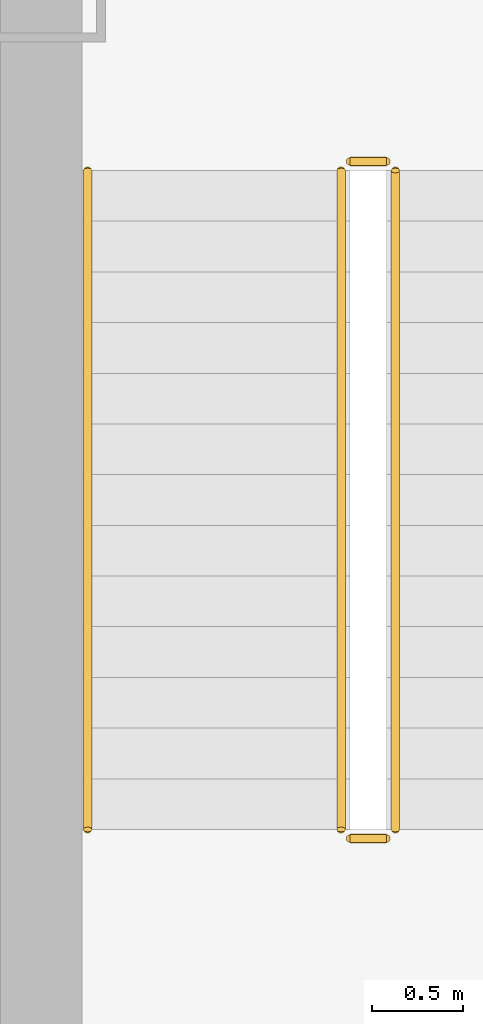
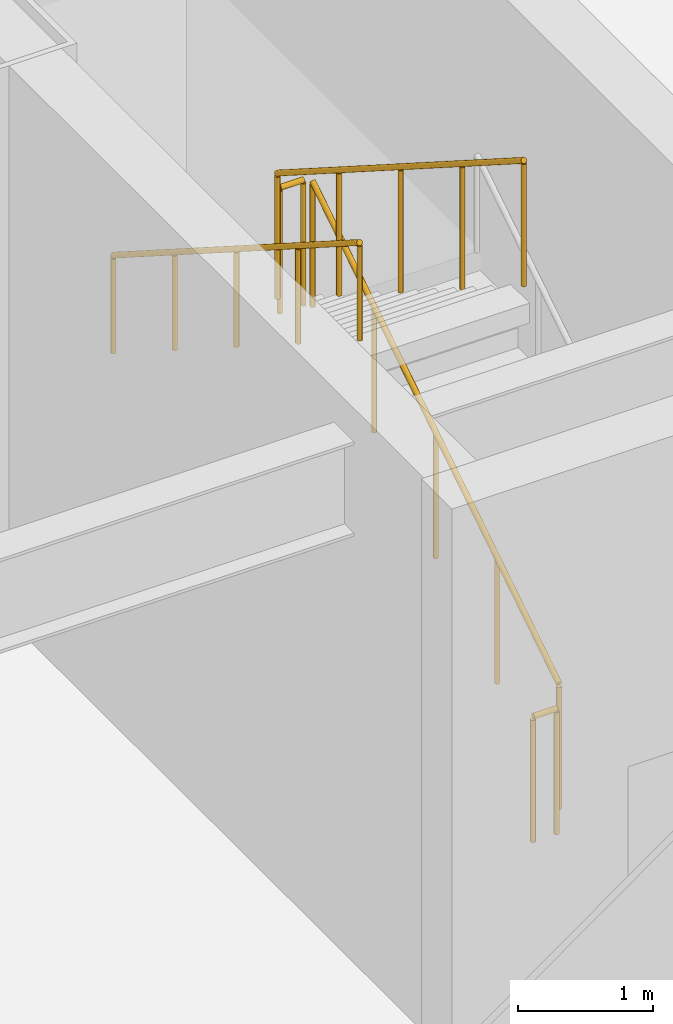
# One storey, part 34 of 40: 5 railings.
"""IFC4 building model written with IfcOpenShell, lengths in metres."""

import ifcopenshell
import ifcopenshell.guid

model = None  # the IFC model being written
_history = None  # IfcOwnerHistory: only IFC2X3 demands one
_inside = {}  # id of a spatial element -> (the spatial element, [elements in it])
_under = {}  # id of a project, library or spatial element -> (it, [spatial elements below it])
_declared = {}  # id of a project -> (the project, [libraries it declares])
_typed = {}  # id of a type object -> (the type object, [elements of that type])
_made_of = {}  # id of a material, layer set ... -> (it, [elements and type objects made of it])


def new_model(schema):
    """Start an empty IFC model of exactly this schema.

    Asked for "IFC4X3", IfcOpenShell would pick the latest addendum, in which some entities
    have other attributes; the version numbers below select the first issue.
    IFC2X3 requires an IfcOwnerHistory on every rooted entity: one is made here for all.
    """
    global model, _history
    if schema == "IFC4X3":
        model = ifcopenshell.file(schema_version=(4, 3, 0, 0))
    else:
        model = ifcopenshell.file(schema=schema)
    _inside.clear()
    _under.clear()
    _declared.clear()
    _typed.clear()
    _made_of.clear()
    _history = None
    if model.schema == "IFC2X3":
        org = make("IfcOrganization", Name="unknown")
        user = make(
            "IfcPersonAndOrganization",
            ThePerson=make("IfcPerson", FamilyName="unknown"),
            TheOrganization=org,
        )
        app = make(
            "IfcApplication",
            ApplicationDeveloper=org,
            Version="unknown",
            ApplicationFullName="unknown",
            ApplicationIdentifier="unknown",
        )
        _history = make(
            "IfcOwnerHistory",
            OwningUser=user,
            OwningApplication=app,
            ChangeAction="ADDED",
            CreationDate=0,
        )
    return model


def make(cls, **values):
    """One entity of the class cls with the attributes given. An attribute that is None is left unset."""
    return model.create_entity(
        cls, **{name: value for name, value in values.items() if value is not None}
    )


def rooted(cls, **values):
    """An entity with a GlobalId (a new one), such as an element, a storey or a relation."""
    return make(cls, GlobalId=ifcopenshell.guid.new(), OwnerHistory=_history, **values)


def si_unit(unit_type, name, prefix=None):
    """IfcSIUnit, for example si_unit("LENGTHUNIT", "METRE", prefix="MILLI")."""
    return make("IfcSIUnit", UnitType=unit_type, Prefix=prefix, Name=name)


def derived_unit(unit_type, elements):
    """IfcDerivedUnit: a product of units, each with its exponent."""
    return make(
        "IfcDerivedUnit",
        Elements=[
            make("IfcDerivedUnitElement", Unit=unit, Exponent=power)
            for unit, power in elements
        ],
        UnitType=unit_type,
    )


def assignment(units):
    """IfcUnitAssignment: the units of a project."""
    return None if units is None else make("IfcUnitAssignment", Units=units)


def point(xyz):
    """IfcCartesianPoint."""
    return None if xyz is None else make("IfcCartesianPoint", Coordinates=xyz)


def direction(xyz):
    """IfcDirection."""
    return None if xyz is None else make("IfcDirection", DirectionRatios=xyz)


def frame(location, z_axis=None, x_axis=None):
    """IfcAxis2Placement3D, a coordinate frame: its origin and axes. An axis left out is left unset."""
    return make(
        "IfcAxis2Placement3D",
        Location=point(location),
        Axis=direction(z_axis),
        RefDirection=direction(x_axis),
    )


def frame_2d(location, x_axis=None):
    """IfcAxis2Placement2D, a coordinate frame in the plane: its origin and x axis."""
    return make(
        "IfcAxis2Placement2D", Location=point(location), RefDirection=direction(x_axis)
    )


def origin():
    """The frame at (0, 0, 0) with its axes left unset."""
    return frame((0.0, 0.0, 0.0))


def origin_2d():
    """The frame at (0, 0) in the plane with its x axis left unset."""
    return frame_2d((0.0, 0.0))


def place(relative_to, where):
    """IfcLocalPlacement: puts the frame where relative to a parent placement (None: the world)."""
    return make(
        "IfcLocalPlacement", PlacementRelTo=relative_to, RelativePlacement=where
    )


def context(
    kind, dimensions, precision=None, world=None, true_north=None, identifier=None
):
    """IfcGeometricRepresentationContext, for example the 3D "Model" context."""
    return make(
        "IfcGeometricRepresentationContext",
        ContextIdentifier=identifier,
        ContextType=kind,
        CoordinateSpaceDimension=dimensions,
        Precision=precision,
        WorldCoordinateSystem=world,
        TrueNorth=true_north,
    )


def subcontext(parent, identifier, kind, view, scale=None):
    """IfcGeometricRepresentationSubContext, for example "Body" below "Model"."""
    return make(
        "IfcGeometricRepresentationSubContext",
        ContextIdentifier=identifier,
        ContextType=kind,
        ParentContext=parent,
        TargetScale=scale,
        TargetView=view,
    )


def project(units=None, contexts=None):
    """IfcProject with its units and contexts."""
    return rooted(
        "IfcProject",
        Name="project",
        RepresentationContexts=contexts,
        UnitsInContext=assignment(units),
    )


def spatial(cls, under=None, at=None, **own):
    """A site, building, storey or space (cls), placed at a placement, below another one or the project."""
    s = rooted(cls, ObjectPlacement=at, **own)
    if under is not None:
        _under.setdefault(under.id(), (under, []))[1].append(s)
    return s


def profile(cls, at=None, kind="AREA", **sizes):
    """A parametric profile (cls). Its sizes go by their IFC names, for example OverallWidth=200.0."""
    return make(cls, ProfileType=kind, Position=at, **sizes)


def circle(**sizes):
    """IfcCircleProfileDef."""
    return profile("IfcCircleProfileDef", **sizes)


def extrude(swept, where, along, depth):
    """IfcExtrudedAreaSolid: the profile swept, set in the frame where, extruded along a direction by depth."""
    return make(
        "IfcExtrudedAreaSolid",
        SweptArea=swept,
        Position=where,
        ExtrudedDirection=direction(along),
        Depth=depth,
    )


def shape(context_of_items, identifier, shape_type, items):
    """IfcShapeRepresentation: the items that make up one representation, for example the "Body"."""
    return make(
        "IfcShapeRepresentation",
        ContextOfItems=context_of_items,
        RepresentationIdentifier=identifier,
        RepresentationType=shape_type,
        Items=items,
    )


def material(Name=None, Category=None):
    """IfcMaterial."""
    return make("IfcMaterial", Name=Name, Category=Category)


def made_of(thing, what):
    """Note that an element or type object is made of a material, layer set ...; save() writes the relation."""
    if what is not None:
        _made_of.setdefault(what.id(), (what, []))[1].append(thing)
    return thing


def type_object(cls, material=None, **own):
    """A type object (cls), such as IfcWallType, which elements share."""
    return made_of(rooted(cls, **own), material)


def element(
    cls,
    number,
    at=None,
    inside=None,
    cuts=None,
    type_object=None,
    material=None,
    context=None,
    identifier="Body",
    shape_type=None,
    held_by="IfcProductDefinitionShape",
    body=None,
    shapes=None,
    **own,
):
    """One element of the class cls, such as IfcWall. Its Tag is "e" and its number.

    at: its placement. inside: the storey or other place that contains it. cuts: it is an
    opening in that element (IfcRelVoidsElement). A single representation is given by context,
    identifier, shape_type and body (its items); several are given by shapes. held_by: the class
    of the entity that holds the representations. save() writes the other relations.
    """
    e = rooted(cls, Tag="e%d" % number, ObjectPlacement=at, **own)
    if body is not None:
        shapes = [shape(context, identifier, shape_type, body)]
    if shapes is not None:
        e.Representation = make(held_by, Representations=shapes)
    if inside is not None:
        _inside.setdefault(inside.id(), (inside, []))[1].append(e)
    if cuts is not None:
        rooted(
            "IfcRelVoidsElement", RelatingBuildingElement=cuts, RelatedOpeningElement=e
        )
    if type_object is not None:
        _typed.setdefault(type_object.id(), (type_object, []))[1].append(e)
    return made_of(e, material)


def aggregate(whole, parts):
    """IfcRelAggregates: a whole, such as a stair, and the parts it consists of."""
    return rooted("IfcRelAggregates", RelatingObject=whole, RelatedObjects=parts)


def save(model, path):
    """Write the relations noted so far, then the file.

    IfcRelAggregates (storeys below a building ...), IfcRelContainedInSpatialStructure (elements
    in a storey), IfcRelDefinesByType, IfcRelAssociatesMaterial and IfcRelDeclares: one each for
    every whole, place, type object, material and project.
    """
    for whole, parts in _under.values():
        aggregate(whole, parts)
    for where, things in _inside.values():
        rooted(
            "IfcRelContainedInSpatialStructure",
            RelatedElements=things,
            RelatingStructure=where,
        )
    for kind, things in _typed.values():
        rooted("IfcRelDefinesByType", RelatedObjects=things, RelatingType=kind)
    for what, things in _made_of.values():
        rooted("IfcRelAssociatesMaterial", RelatedObjects=things, RelatingMaterial=what)
    for by, libraries in _declared.values():
        rooted("IfcRelDeclares", RelatingContext=by, RelatedDefinitions=libraries)
    model.write(path)


model = new_model("IFC4")

# Units and contexts
model_context = context("Model", 3, precision=1e-05, world=origin(), true_north=direction((0.0, 1.0)))
body_context = subcontext(model_context, "Body", "Model", "MODEL_VIEW")
ifc_project = project(units=[si_unit("LENGTHUNIT", "METRE"), si_unit("AREAUNIT", "SQUARE_METRE"), si_unit("VOLUMEUNIT", "CUBIC_METRE"), si_unit("PLANEANGLEUNIT", "RADIAN"), si_unit("MASSUNIT", "GRAM", prefix="KILO"), derived_unit("THERMALTRANSMITTANCEUNIT", [(si_unit("POWERUNIT", "WATT"), 1), (si_unit("LENGTHUNIT", "METRE"), -2), (si_unit("THERMODYNAMICTEMPERATUREUNIT", "KELVIN"), -1)])], contexts=[model_context])

# Site, building, storey
site_placement = place(None, origin())
site = spatial("IfcSite", under=ifc_project, at=site_placement, CompositionType="ELEMENT")
building_placement = place(site_placement, origin())
building = spatial("IfcBuilding", under=site, at=building_placement, Name="Skarnbrae Concourse Arena and Tower", CompositionType="ELEMENT")
storey_placement = place(building_placement, frame((0.0, 0.0, 6.0)))
storey = spatial("IfcBuildingStorey", under=building, at=storey_placement, Name="L01", CompositionType="ELEMENT", Elevation=6.0)

# Railings
ifc_material = material(Name="Steel CSA G40.21 350W", Category="steel")
railing_type_1 = type_object("IfcRailingType", Name="RAIL-HANDRAIL-900", PredefinedType="HANDRAIL", material=ifc_material)
railing_1_placement = place(storey_placement, frame((61.449951171875, 8.239990234375, 2.678466796875)))
element("IfcRailing", 1, at=railing_1_placement, inside=storey, type_object=railing_type_1, Name="L01 ST-A1 stair handrail 2", PredefinedType="HANDRAIL", context=body_context, shape_type="SweptSolid", body=[
    extrude(circle(Radius=0.02392578125, at=origin_2d()), frame((0.0, 0.0, 0.8759765625), z_axis=(0.0, -0.843111507901, 0.53773877045), x_axis=(1.0, 0.0, 0.0)), (0.0, 0.0, 1.0), 4.317138671875),
    extrude(circle(Radius=0.02099609375, at=origin_2d()), origin(), (0.0, 0.0, 1.0), 0.851806640625),
    extrude(circle(Radius=0.02099609375, at=origin_2d()), frame((0.0, -0.909912109375, 0.580322265625)), (0.0, 0.0, 1.0), 0.851806640625),
    extrude(circle(Radius=0.02099609375, at=origin_2d()), frame((0.0, -1.81982421875, 1.16064453125)), (0.0, 0.0, 1.0), 0.851806640625),
    extrude(circle(Radius=0.02099609375, at=origin_2d()), frame((0.0, -2.72998046875, 1.7412109375)), (0.0, 0.0, 1.0), 0.851806640625),
    extrude(circle(Radius=0.02099609375, at=origin_2d()), frame((0.0, -3.639892578125, 2.321533203125)), (0.0, 0.0, 1.0), 0.851806640625),
])
railing_type_2 = type_object("IfcRailingType", Name="RAIL-STAIR-GUARD-1150", PredefinedType="GUARDRAIL", material=ifc_material)
railing_2_placement = place(storey_placement, frame((63.14990234375, 4.60009765625, 0.178466796875)))
element("IfcRailing", 2, at=railing_2_placement, inside=storey, type_object=railing_type_2, Name="L01 ST-A1 stair guard 1", PredefinedType="GUARDRAIL", context=body_context, shape_type="SweptSolid", body=[
    extrude(circle(Radius=0.02392578125, at=origin_2d()), frame((0.0, 0.0, 1.1259765625), z_axis=(0.0, 0.843111507901, 0.53773877045), x_axis=(-1.0, 0.0, 0.0)), (0.0, 0.0, 1.0), 4.317138671875),
    extrude(circle(Radius=0.02099609375, at=origin_2d()), origin(), (0.0, 0.0, 1.0), 1.101806640625),
    extrude(circle(Radius=0.02099609375, at=origin_2d()), frame((0.0, 0.909912109375, 0.580322265625)), (0.0, 0.0, 1.0), 1.101806640625),
    extrude(circle(Radius=0.02099609375, at=origin_2d()), frame((0.0, 1.81982421875, 1.16064453125)), (0.0, 0.0, 1.0), 1.101806640625),
    extrude(circle(Radius=0.02099609375, at=origin_2d()), frame((0.0, 2.72998046875, 1.7412109375)), (0.0, 0.0, 1.0), 1.101806640625),
    extrude(circle(Radius=0.02099609375, at=origin_2d()), frame((0.0, 3.639892578125, 2.321533203125)), (0.0, 0.0, 1.0), 1.101806640625),
])
railing_3_placement = place(storey_placement, frame((63.10009765625, 8.2900390625, 2.5)))
element("IfcRailing", 3, at=railing_3_placement, inside=storey, type_object=railing_type_2, Name="L01 ST-A1 stair guard 2", PredefinedType="GUARDRAIL", context=body_context, shape_type="SweptSolid", body=[
    extrude(circle(Radius=0.02392578125, at=origin_2d()), frame((0.0, 0.0, 1.1259765625), z_axis=(-1.0, 0.0, 0.0), x_axis=(0.0, -1.0, 0.0)), (0.0, 0.0, 1.0), 0.2001953125),
    extrude(circle(Radius=0.02099609375, at=origin_2d()), origin(), (0.0, 0.0, 1.0), 1.101806640625),
    extrude(circle(Radius=0.02099609375, at=origin_2d()), frame((-0.2001953125, 0.0, 0.0)), (0.0, 0.0, 1.0), 1.101806640625),
])
railing_4_placement = place(storey_placement, frame((62.85009765625, 8.239990234375, 2.678466796875)))
element("IfcRailing", 4, at=railing_4_placement, inside=storey, type_object=railing_type_2, Name="L01 ST-A1 stair guard 3", PredefinedType="GUARDRAIL", context=body_context, shape_type="SweptSolid", body=[
    extrude(circle(Radius=0.02392578125, at=origin_2d()), frame((0.0, 0.0, 1.1259765625), z_axis=(0.0, -0.843111507901, 0.53773877045), x_axis=(1.0, 0.0, 0.0)), (0.0, 0.0, 1.0), 4.317138671875),
    extrude(circle(Radius=0.02099609375, at=origin_2d()), origin(), (0.0, 0.0, 1.0), 1.101806640625),
    extrude(circle(Radius=0.02099609375, at=origin_2d()), frame((0.0, -0.909912109375, 0.580322265625)), (0.0, 0.0, 1.0), 1.101806640625),
    extrude(circle(Radius=0.02099609375, at=origin_2d()), frame((0.0, -1.81982421875, 1.16064453125)), (0.0, 0.0, 1.0), 1.101806640625),
    extrude(circle(Radius=0.02099609375, at=origin_2d()), frame((0.0, -2.72998046875, 1.7412109375)), (0.0, 0.0, 1.0), 1.101806640625),
    extrude(circle(Radius=0.02099609375, at=origin_2d()), frame((0.0, -3.639892578125, 2.321533203125)), (0.0, 0.0, 1.0), 1.101806640625),
])
railing_5_placement = place(storey_placement, frame((63.10009765625, 4.550048828125, 0.0)))
element("IfcRailing", 5, at=railing_5_placement, inside=storey, type_object=railing_type_2, Name="L01 ST-A1 stair guard 4", PredefinedType="GUARDRAIL", context=body_context, shape_type="SweptSolid", body=[
    extrude(circle(Radius=0.02392578125, at=origin_2d()), frame((0.0, 0.0, 1.1259765625), z_axis=(-1.0, 0.0, 0.0), x_axis=(0.0, -1.0, 0.0)), (0.0, 0.0, 1.0), 0.2001953125),
    extrude(circle(Radius=0.02099609375, at=origin_2d()), origin(), (0.0, 0.0, 1.0), 1.101806640625),
    extrude(circle(Radius=0.02099609375, at=origin_2d()), frame((-0.2001953125, 0.0, 0.0)), (0.0, 0.0, 1.0), 1.101806640625),
])

save(model, "model.ifc")
